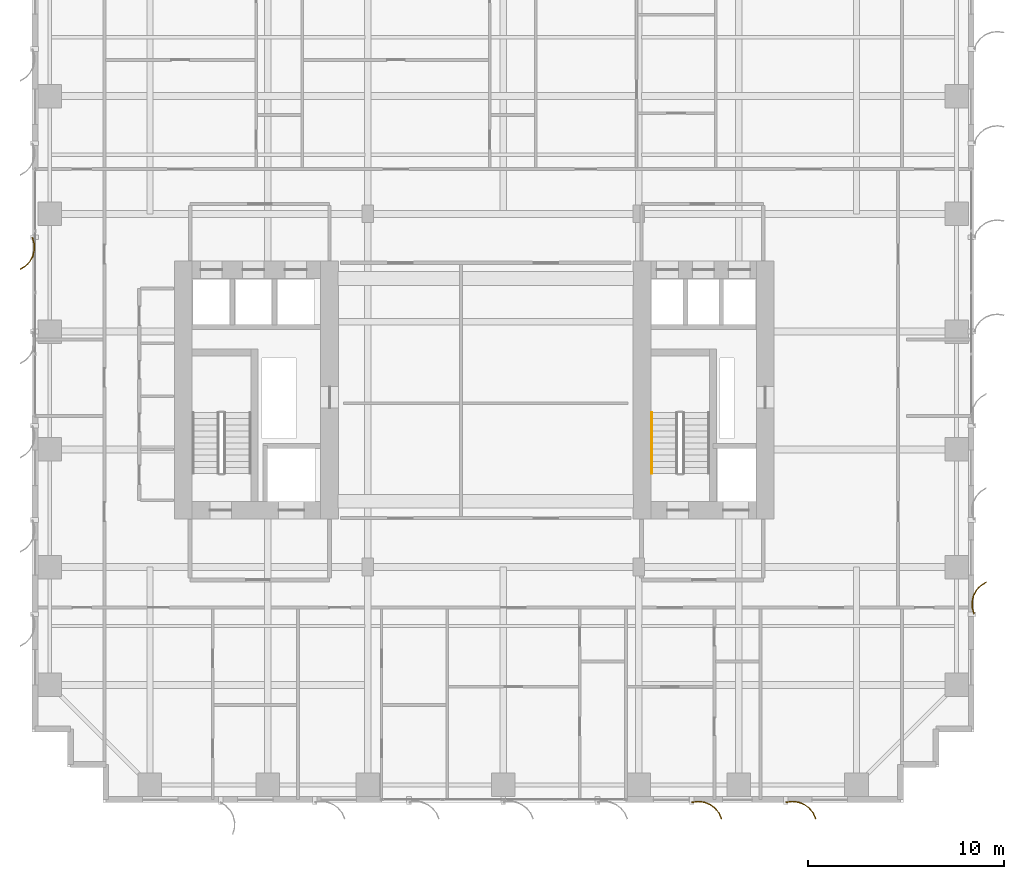
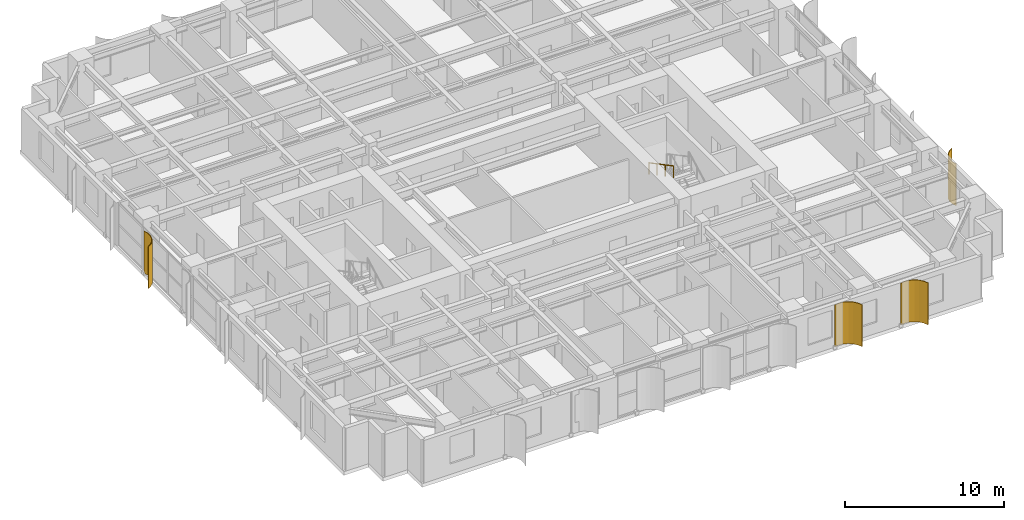
# One storey, part 21 of 23: 4 shading devices, 1 railing.
"""IFC4 building model written with IfcOpenShell, lengths in metres."""

from ifc_helpers import new_model, si_unit, direction, frame, origin, origin_2d, place, context, subcontext, project, spatial, polyline, circle, outline, extrude, source, transform, mapped, material, layer, layer_set, type_object, element, save


model = new_model("IFC4")

# Units and contexts
model_context = context("Model", 3, precision=1e-05, world=origin(), true_north=direction((0.0, 1.0)))
body_context = subcontext(model_context, "Body", "Model", "MODEL_VIEW")
ifc_project = project(units=[si_unit("LENGTHUNIT", "METRE"), si_unit("AREAUNIT", "SQUARE_METRE"), si_unit("VOLUMEUNIT", "CUBIC_METRE"), si_unit("PLANEANGLEUNIT", "RADIAN"), si_unit("MASSUNIT", "GRAM", prefix="KILO")], contexts=[model_context])

# Site, building, storey
site_placement = place(None, origin())
site = spatial("IfcSite", under=ifc_project, at=site_placement, CompositionType="ELEMENT")
building_placement = place(site_placement, origin())
building = spatial("IfcBuilding", under=site, at=building_placement, Name="Khoralis Quay Care Tower", CompositionType="ELEMENT")
storey_placement = place(building_placement, frame((0.0, 0.0, 72.89990234375)))
storey = spatial("IfcBuildingStorey", under=building, at=storey_placement, Name="L19", CompositionType="ELEMENT", Elevation=72.89990234375)

# Railing
ifc_material_1 = material(Name="Brushed stainless steel", Category="steel")
railing_type = type_object("IfcRailingType", Name="RL-HAND-900", PredefinedType="HANDRAIL", material=ifc_material_1)
railing_placement = place(storey_placement, frame((31.570068359375, 19.8701171875, 1.963623046875)))
element("IfcRailing", 1, at=railing_placement, inside=storey, type_object=railing_type, Name="L19 ST-T2 stair handrail 2", PredefinedType="HANDRAIL", context=body_context, shape_type="SweptSolid", body=[
    extrude(circle(Radius=0.02392578125, at=origin_2d()), frame((0.0, 0.0, 0.8759765625), z_axis=(0.0, -0.884348015382, 0.466828220752), x_axis=(1.0, 0.0, 0.0)), (0.0, 0.0, 1.0), 3.505615234375),
    extrude(circle(Radius=0.02099609375, at=origin_2d()), origin(), (0.0, 0.0, 1.0), 0.851806640625),
    extrude(circle(Radius=0.02099609375, at=origin_2d()), frame((0.0, -1.033447265625, 0.54541015625)), (0.0, 0.0, 1.0), 0.851806640625),
    extrude(circle(Radius=0.02099609375, at=origin_2d()), frame((0.0, -2.066650390625, 1.091064453125)), (0.0, 0.0, 1.0), 0.851806640625),
    extrude(circle(Radius=0.02099609375, at=origin_2d()), frame((0.0, -3.10009765625, 1.636474609375)), (0.0, 0.0, 1.0), 0.851806640625),
])

# Shading devices
ifc_material_2 = material(Name="Brushed pale anodised aluminium", Category="aluminium")
ifc_layer = layer(ifc_material_2, 0.044921875)
ifc_layer_set = layer_set([ifc_layer], Name="Brushed pale anodised aluminium")
shading_device_type = type_object("IfcShadingDeviceType", Name="SHD-FIN-1250", PredefinedType="USERDEFINED", material=ifc_layer_set)
shared_shape_1 = source(origin(), body_context, "Body", "SweptSolid", [
    extrude(outline(polyline([(0.0, 0.0), (-0.04833984375, 0.32275390625), (-0.01123046875, 0.64697265625), (0.1083984375, 0.950439453125), (0.302490234375, 1.212890625), (0.557861328125, 1.416015625), (0.85693359375, 1.546142578125), (0.869384765625, 1.5029296875), (0.5810546875, 1.37744140625), (0.334716796875, 1.181640625), (0.147705078125, 0.9287109375), (0.032470703125, 0.635986328125), (-0.003173828125, 0.323486328125), (0.043212890625, 0.012451171875), (0.0, 0.0)])), origin(), (0.0, 0.0, 1.0), 3.219970703125),
])
for number, where, z_axis, x_axis, name in (
    (2, (33.60009765625, 0.030029296875, 0.02001953125), (0.0, 0.0, 1.0), (0.0, -1.0, 0.0), "L19 Curved Solar Fin P1E0-06"),
    (3, (38.39990234375, 0.030029296875, 0.02001953125), (0.0, 0.0, 1.0), (0.0, -1.0, 0.0), "L19 Curved Solar Fin P1E0-07"),
):
    element("IfcShadingDevice", number, at=place(storey_placement, frame(where, z_axis=z_axis, x_axis=x_axis)), inside=storey, type_object=shading_device_type, Name=name, ObjectType="FIN", PredefinedType="USERDEFINED", context=body_context, shape_type="MappedRepresentation", body=[
        mapped(shared_shape_1, transform((0.0, 0.0, 0.0), scale=1.0)),
    ])
shared_shape_2 = source(origin(), body_context, "Body", "SweptSolid", [
    extrude(outline(polyline([(0.0, 0.0), (-0.0927734375, 0.31298828125), (-0.101318359375, 0.63916015625), (-0.025146484375, 0.956298828125), (0.130615234375, 1.2431640625), (0.355224609375, 1.479736328125), (0.633544921875, 1.650390625), (0.65185546875, 1.609130859375), (0.383544921875, 1.44482421875), (0.1669921875, 1.216796875), (0.01708984375, 0.940185546875), (-0.056396484375, 0.63427734375), (-0.04833984375, 0.31982421875), (0.041015625, 0.018310546875), (0.0, 0.0)])), origin(), (0.0, 0.0, 1.0), 3.219970703125),
])
for number, where, z_axis, x_axis, name in (
    (4, (47.969970703125, 9.60009765625, 0.02001953125), (0.0, 0.0, 1.0), (1.0, 0.0, 0.0), "L19 Curved Solar Fin P1E5-01"),
    (5, (0.030029296875, 28.800048828125, 0.02001953125), (0.0, 0.0, 1.0), (-1.0, 0.0, 0.0), "L19 Curved Solar Fin P1E15-03"),
):
    element("IfcShadingDevice", number, at=place(storey_placement, frame(where, z_axis=z_axis, x_axis=x_axis)), inside=storey, type_object=shading_device_type, Name=name, ObjectType="FIN", PredefinedType="USERDEFINED", context=body_context, shape_type="MappedRepresentation", body=[
        mapped(shared_shape_2, transform((0.0, 0.0, 0.0), scale=1.0)),
    ])

save(model, "model.ifc")
